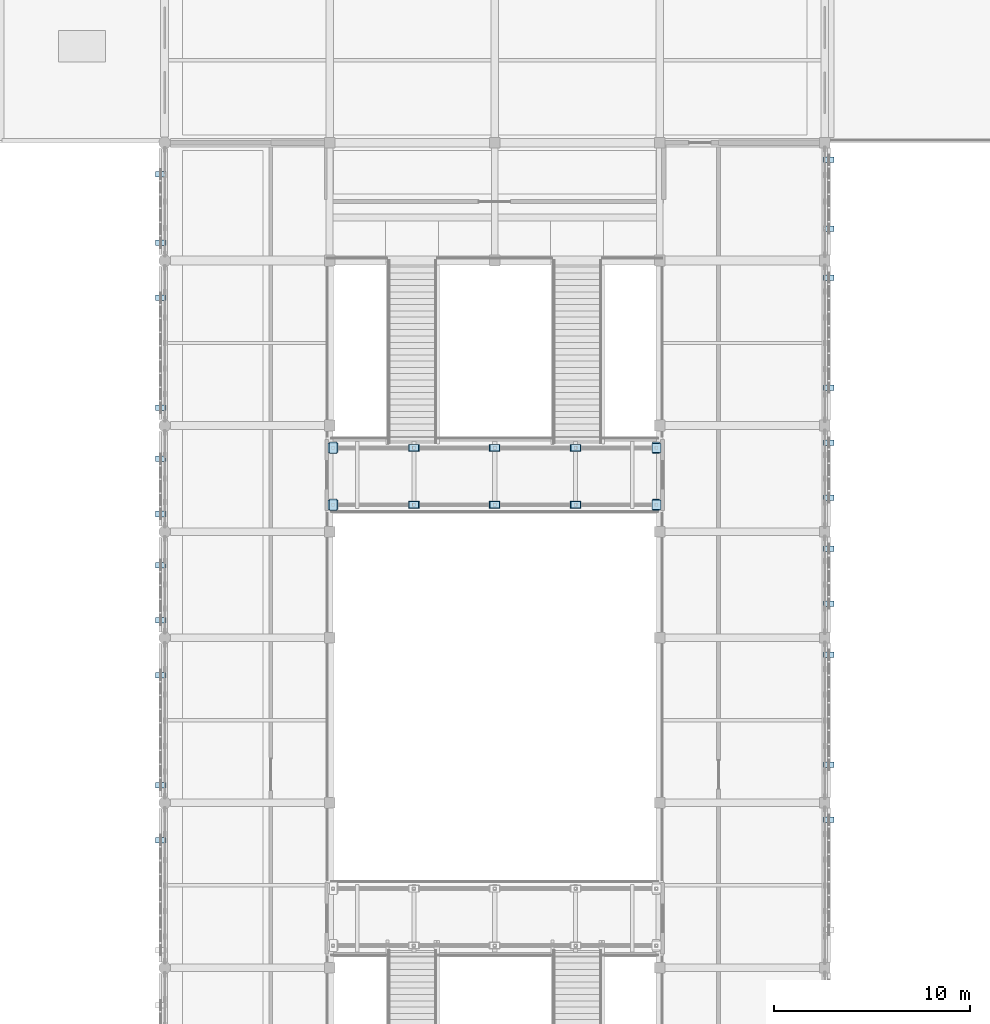
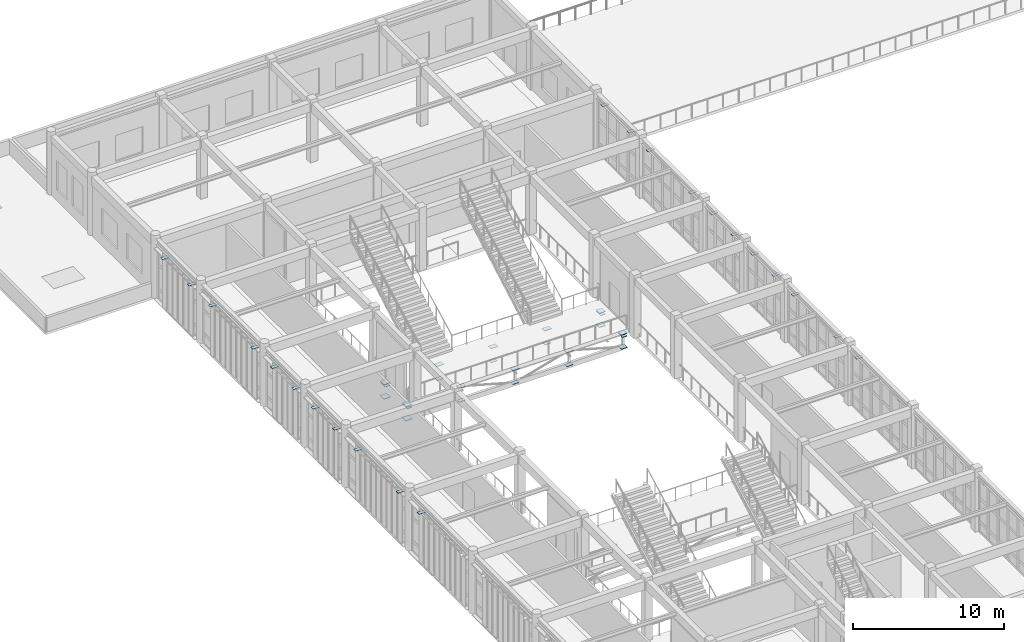
# One storey, part 68 of 93: 46 plates.
"""IFC4 building model written with IfcOpenShell, lengths in metres."""

from ifc_helpers import new_model, si_unit, direction, frame, origin, origin_2d, place, context, subcontext, project, spatial, rectangle, extrude, material, layer, layer_set, type_object, element, save


model = new_model("IFC4")

# Units and contexts
model_context = context("Model", 3, precision=1e-05, world=origin(), true_north=direction((0.0, 1.0)))
body_context = subcontext(model_context, "Body", "Model", "MODEL_VIEW")
ifc_project = project(units=[si_unit("LENGTHUNIT", "METRE"), si_unit("AREAUNIT", "SQUARE_METRE"), si_unit("VOLUMEUNIT", "CUBIC_METRE"), si_unit("PLANEANGLEUNIT", "RADIAN"), si_unit("MASSUNIT", "GRAM", prefix="KILO")], contexts=[model_context])

# Site, building, storey
site_placement = place(None, origin())
site = spatial("IfcSite", under=ifc_project, at=site_placement, CompositionType="ELEMENT")
building_placement = place(site_placement, origin())
building = spatial("IfcBuilding", under=site, at=building_placement, Name="Krzemoval Escarpment Law Courts", CompositionType="ELEMENT")
storey_placement = place(building_placement, frame((0.0, 0.0, 10.199951171875)))
storey = spatial("IfcBuildingStorey", under=building, at=storey_placement, Name="L02", CompositionType="ELEMENT", Elevation=10.199951171875)

# Plates
ifc_material_1 = material(Name="Steel S355", Category="steel")
ifc_layer_1 = layer(ifc_material_1, 0.034912109375)
ifc_layer_set_1 = layer_set([ifc_layer_1], Name="Steel S355")
plate_type_1 = type_object("IfcPlateType", Name="PLT-BRG-SEAT360", PredefinedType="USERDEFINED", material=ifc_layer_set_1)
for number, where, z_axis, x_axis, name in (
    (1, (16.97998046875, 81.169921875, -0.70556640625), (0.0, 0.0, 1.0), (1.0, 0.0, 0.0), "Sky-Bridge 360mm Sliding Bearing Seat BSP-0017"),
    (2, (33.419921875, 81.169921875, -0.70556640625), (0.0, 0.0, 1.0), (1.0, 0.0, 0.0), "Sky-Bridge 360mm Sliding Bearing Seat BSP-0018"),
    (3, (16.97998046875, 84.070068359375, -0.70556640625), (0.0, 0.0, 1.0), (1.0, 0.0, 0.0), "Sky-Bridge 360mm Sliding Bearing Seat BSP-0019"),
    (4, (33.419921875, 84.070068359375, -0.70556640625), (0.0, 0.0, 1.0), (1.0, 0.0, 0.0), "Sky-Bridge 360mm Sliding Bearing Seat BSP-0020"),
):
    element("IfcPlate", number, at=place(storey_placement, frame(where, z_axis=z_axis, x_axis=x_axis)), inside=storey, type_object=plate_type_1, Name=name, ObjectType="FLANGE_PLATE", PredefinedType="USERDEFINED", context=body_context, shape_type="SweptSolid", body=[
        extrude(rectangle(XDim=0.360107421875, YDim=0.60009765625, at=origin_2d()), origin(), (0.0, 0.0, 1.0), 0.034912109375),
    ])
ifc_material_2 = material(Name="Anodised Aluminium Alloy 6063-T6", Category="aluminium")
ifc_layer_2 = layer(ifc_material_2, 0.01611328125)
ifc_layer_set_2 = layer_set([ifc_layer_2], Name="Anodised Aluminium Alloy 6063-T6")
plate_type_2 = type_object("IfcPlateType", Name="PLT-FIN-16", PredefinedType="USERDEFINED", material=ifc_layer_set_2)
for number, where, z_axis, x_axis, name in (
    (5, (8.199951171875, 64.10009765625, 4.14208984375), (0.0, 0.0, 1.0), (-1.0, 0.0, 0.0), "Sunshade Fin Blade FN-L02-0406"),
    (6, (8.199951171875, 66.89990234375, 4.14208984375), (0.0, 0.0, 1.0), (-1.0, 0.0, 0.0), "Sunshade Fin Blade FN-L02-0409"),
    (7, (8.199951171875, 72.5, 4.14208984375), (0.0, 0.0, 1.0), (-1.0, 0.0, 0.0), "Sunshade Fin Blade FN-L02-0417"),
    (8, (8.199951171875, 75.300048828125, 4.14208984375), (0.0, 0.0, 1.0), (-1.0, 0.0, 0.0), "Sunshade Fin Blade FN-L02-0420"),
    (9, (8.199951171875, 78.10009765625, 4.14208984375), (0.0, 0.0, 1.0), (-1.0, 0.0, 0.0), "Sunshade Fin Blade FN-L02-0424"),
    (10, (8.199951171875, 80.699951171875, 4.14208984375), (0.0, 0.0, 1.0), (-1.0, 0.0, 0.0), "Sunshade Fin Blade FN-L02-0427"),
    (11, (8.199951171875, 83.5, 4.14208984375), (0.0, 0.0, 1.0), (-1.0, 0.0, 0.0), "Sunshade Fin Blade FN-L02-0431"),
    (12, (8.199951171875, 86.10009765625, 4.14208984375), (0.0, 0.0, 1.0), (-1.0, 0.0, 0.0), "Sunshade Fin Blade FN-L02-0434"),
    (13, (8.199951171875, 91.699951171875, 4.14208984375), (0.0, 0.0, 1.0), (-1.0, 0.0, 0.0), "Sunshade Fin Blade FN-L02-0442"),
    (14, (8.199951171875, 94.5, 4.14208984375), (0.0, 0.0, 1.0), (-1.0, 0.0, 0.0), "Sunshade Fin Blade FN-L02-0445"),
    (15, (8.199951171875, 98.0, 4.14208984375), (0.0, 0.0, 1.0), (-1.0, 0.0, 0.0), "Sunshade Fin Blade FN-L02-0450"),
    (16, (42.199951171875, 98.72509765625, 4.14208984375), (0.0, 0.0, 1.0), (1.0, 0.0, 0.0), "Sunshade Fin Blade FN-L02-0454"),
    (17, (42.199951171875, 95.22509765625, 4.14208984375), (0.0, 0.0, 1.0), (1.0, 0.0, 0.0), "Sunshade Fin Blade FN-L02-0459"),
    (18, (42.199951171875, 92.72509765625, 4.14208984375), (0.0, 0.0, 1.0), (1.0, 0.0, 0.0), "Sunshade Fin Blade FN-L02-0462"),
    (19, (42.199951171875, 87.125, 4.14208984375), (0.0, 0.0, 1.0), (1.0, 0.0, 0.0), "Sunshade Fin Blade FN-L02-0470"),
    (20, (42.199951171875, 84.324951171875, 4.14208984375), (0.0, 0.0, 1.0), (1.0, 0.0, 0.0), "Sunshade Fin Blade FN-L02-0473"),
    (21, (42.199951171875, 81.52490234375, 4.14208984375), (0.0, 0.0, 1.0), (1.0, 0.0, 0.0), "Sunshade Fin Blade FN-L02-0477"),
    (22, (42.199951171875, 78.925048828125, 4.14208984375), (0.0, 0.0, 1.0), (1.0, 0.0, 0.0), "Sunshade Fin Blade FN-L02-0480"),
    (23, (42.199951171875, 76.125, 4.14208984375), (0.0, 0.0, 1.0), (1.0, 0.0, 0.0), "Sunshade Fin Blade FN-L02-0484"),
    (24, (42.199951171875, 73.52490234375, 4.14208984375), (0.0, 0.0, 1.0), (1.0, 0.0, 0.0), "Sunshade Fin Blade FN-L02-0487"),
    (25, (42.199951171875, 67.925048828125, 4.14208984375), (0.0, 0.0, 1.0), (1.0, 0.0, 0.0), "Sunshade Fin Blade FN-L02-0495"),
    (26, (42.199951171875, 65.125, 4.14208984375), (0.0, 0.0, 1.0), (1.0, 0.0, 0.0), "Sunshade Fin Blade FN-L02-0498"),
):
    element("IfcPlate", number, at=place(storey_placement, frame(where, z_axis=z_axis, x_axis=x_axis)), inside=storey, type_object=plate_type_2, Name=name, ObjectType="SUNSHADE_FIN", PredefinedType="USERDEFINED", context=body_context, shape_type="SweptSolid", body=[
        extrude(rectangle(XDim=0.52001953125, YDim=0.280029296875, at=origin_2d()), origin(), (0.0, 0.0, 1.0), 0.01611328125),
    ])
ifc_material_3 = material(Name="Steel S355", Category="steel")
ifc_layer_3 = layer(ifc_material_3, 0.034912109375)
ifc_layer_set_3 = layer_set([ifc_layer_3], Name="Steel S355")
plate_type_3 = type_object("IfcPlateType", Name="PLT-FLG-35", PredefinedType="USERDEFINED", material=ifc_layer_set_3)
for number, where, z_axis, x_axis, name in (
    (27, (33.429931640625, 81.169921875, -1.6875), (0.0, 0.0, 1.0), (1.0, 0.0, 0.0), "Gusset and End-Cap Plate ECP-0213"),
    (28, (33.429931640625, 81.169921875, -0.53759765625), (0.0, 0.0, 1.0), (1.0, 0.0, 0.0), "Gusset and End-Cap Plate ECP-0215"),
    (29, (33.429931640625, 84.070068359375, -1.6875), (0.0, 0.0, 1.0), (1.0, 0.0, 0.0), "Gusset and End-Cap Plate ECP-0223"),
    (30, (33.429931640625, 84.070068359375, -0.53759765625), (0.0, 0.0, 1.0), (1.0, 0.0, 0.0), "Gusset and End-Cap Plate ECP-0225"),
):
    element("IfcPlate", number, at=place(storey_placement, frame(where, z_axis=z_axis, x_axis=x_axis)), inside=storey, type_object=plate_type_3, Name=name, ObjectType="FLANGE_PLATE", PredefinedType="USERDEFINED", context=body_context, shape_type="SweptSolid", body=[
        extrude(rectangle(XDim=0.4599609375, YDim=0.4599609375, at=origin_2d()), origin(), (0.0, 0.0, 1.0), 0.034912109375),
    ])
ifc_material_4 = material(Name="Steel S355", Category="steel")
ifc_layer_4 = layer(ifc_material_4, 0.0400390625)
ifc_layer_set_4 = layer_set([ifc_layer_4], Name="Steel S355")
plate_type_4 = type_object("IfcPlateType", Name="PLT-FLG-40", PredefinedType="USERDEFINED", material=ifc_layer_set_4)
for number, where, z_axis, x_axis, name in (
    (31, (16.969970703125, 81.169921875, -1.68994140625), (0.0, 0.0, 1.0), (1.0, 0.0, 0.0), "Gusset and End-Cap Plate ECP-0212"),
    (32, (16.969970703125, 81.169921875, -0.5400390625), (0.0, 0.0, 1.0), (1.0, 0.0, 0.0), "Gusset and End-Cap Plate ECP-0214"),
    (33, (16.969970703125, 84.070068359375, -1.68994140625), (0.0, 0.0, 1.0), (1.0, 0.0, 0.0), "Gusset and End-Cap Plate ECP-0222"),
    (34, (16.969970703125, 84.070068359375, -0.5400390625), (0.0, 0.0, 1.0), (1.0, 0.0, 0.0), "Gusset and End-Cap Plate ECP-0224"),
):
    element("IfcPlate", number, at=place(storey_placement, frame(where, z_axis=z_axis, x_axis=x_axis)), inside=storey, type_object=plate_type_4, Name=name, ObjectType="FLANGE_PLATE", PredefinedType="USERDEFINED", context=body_context, shape_type="SweptSolid", body=[
        extrude(rectangle(XDim=0.5, YDim=0.5, at=origin_2d()), origin(), (0.0, 0.0, 1.0), 0.0400390625),
    ])
ifc_material_5 = material(Name="Steel S355", Category="steel")
ifc_layer_5 = layer(ifc_material_5, 0.02001953125)
ifc_layer_set_5 = layer_set([ifc_layer_5], Name="Steel S355")
plate_type_5 = type_object("IfcPlateType", Name="PLT-GUS-20", PredefinedType="USERDEFINED", material=ifc_layer_set_5)
for number, where, z_axis, x_axis, name in (
    (35, (25.199951171875, 81.169921875, -1.679931640625), (0.0, 0.0, 1.0), (1.0, 0.0, 0.0), "Gusset and End-Cap Plate ECP-0217"),
    (36, (21.0849609375, 81.169921875, -1.679931640625), (0.0, 0.0, 1.0), (1.0, 0.0, 0.0), "Gusset and End-Cap Plate ECP-0219"),
    (37, (29.31494140625, 81.169921875, -1.679931640625), (0.0, 0.0, 1.0), (1.0, 0.0, 0.0), "Gusset and End-Cap Plate ECP-0221"),
    (38, (25.199951171875, 84.070068359375, -1.679931640625), (0.0, 0.0, 1.0), (1.0, 0.0, 0.0), "Gusset and End-Cap Plate ECP-0227"),
    (39, (21.0849609375, 84.070068359375, -1.679931640625), (0.0, 0.0, 1.0), (1.0, 0.0, 0.0), "Gusset and End-Cap Plate ECP-0229"),
    (40, (29.31494140625, 84.070068359375, -1.679931640625), (0.0, 0.0, 1.0), (1.0, 0.0, 0.0), "Gusset and End-Cap Plate ECP-0231"),
):
    element("IfcPlate", number, at=place(storey_placement, frame(where, z_axis=z_axis, x_axis=x_axis)), inside=storey, type_object=plate_type_5, Name=name, ObjectType="GUSSET_PLATE", PredefinedType="USERDEFINED", context=body_context, shape_type="SweptSolid", body=[
        extrude(rectangle(XDim=0.47998046875, YDim=0.320068359375, at=origin_2d()), origin(), (0.0, 0.0, 1.0), 0.02001953125),
    ])
ifc_material_6 = material(Name="Steel S355", Category="steel")
ifc_layer_6 = layer(ifc_material_6, 0.030029296875)
ifc_layer_set_6 = layer_set([ifc_layer_6], Name="Steel S355")
plate_type_6 = type_object("IfcPlateType", Name="PLT-GUS-30", PredefinedType="USERDEFINED", material=ifc_layer_set_6)
for number, where, z_axis, x_axis, name in (
    (41, (21.0849609375, 81.169921875, -0.53515625), (0.0, 0.0, 1.0), (1.0, 0.0, 0.0), "Gusset and End-Cap Plate ECP-0216"),
    (42, (29.31494140625, 81.169921875, -0.53515625), (0.0, 0.0, 1.0), (1.0, 0.0, 0.0), "Gusset and End-Cap Plate ECP-0218"),
    (43, (25.199951171875, 81.169921875, -0.53515625), (0.0, 0.0, 1.0), (1.0, 0.0, 0.0), "Gusset and End-Cap Plate ECP-0220"),
    (44, (21.0849609375, 84.070068359375, -0.53515625), (0.0, 0.0, 1.0), (1.0, 0.0, 0.0), "Gusset and End-Cap Plate ECP-0226"),
    (45, (29.31494140625, 84.070068359375, -0.53515625), (0.0, 0.0, 1.0), (1.0, 0.0, 0.0), "Gusset and End-Cap Plate ECP-0228"),
    (46, (25.199951171875, 84.070068359375, -0.53515625), (0.0, 0.0, 1.0), (1.0, 0.0, 0.0), "Gusset and End-Cap Plate ECP-0230"),
):
    element("IfcPlate", number, at=place(storey_placement, frame(where, z_axis=z_axis, x_axis=x_axis)), inside=storey, type_object=plate_type_6, Name=name, ObjectType="GUSSET_PLATE", PredefinedType="USERDEFINED", context=body_context, shape_type="SweptSolid", body=[
        extrude(rectangle(XDim=0.56005859375, YDim=0.360107421875, at=origin_2d()), origin(), (0.0, 0.0, 1.0), 0.030029296875),
    ])

save(model, "model.ifc")
